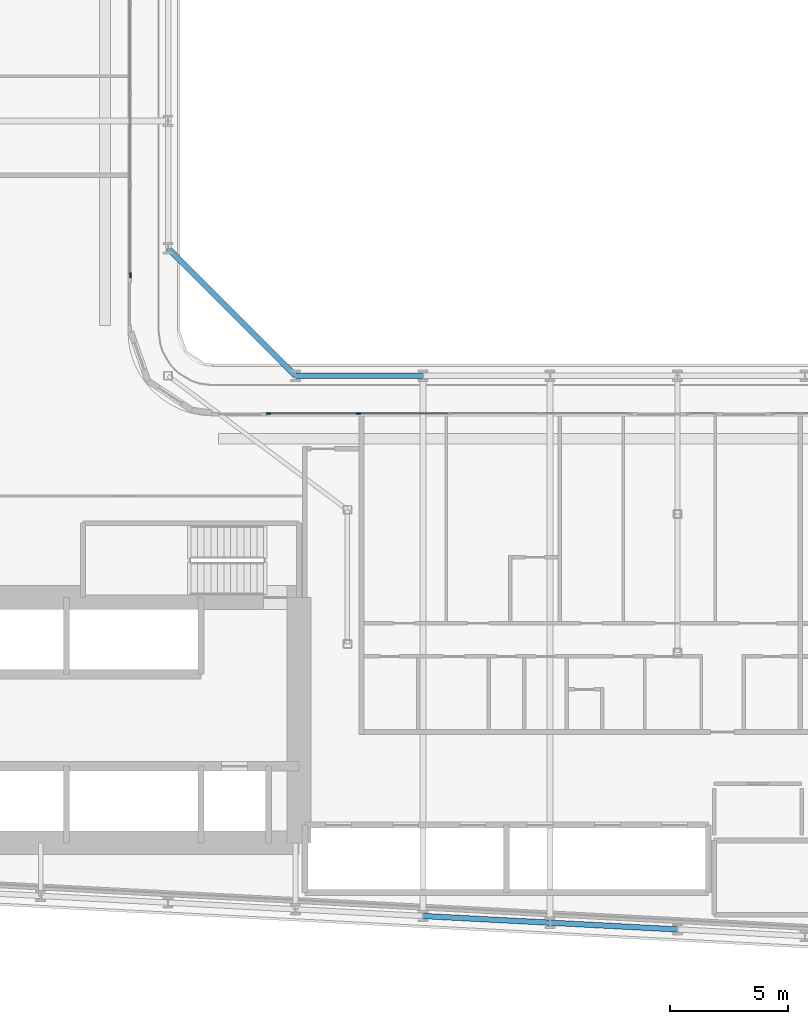
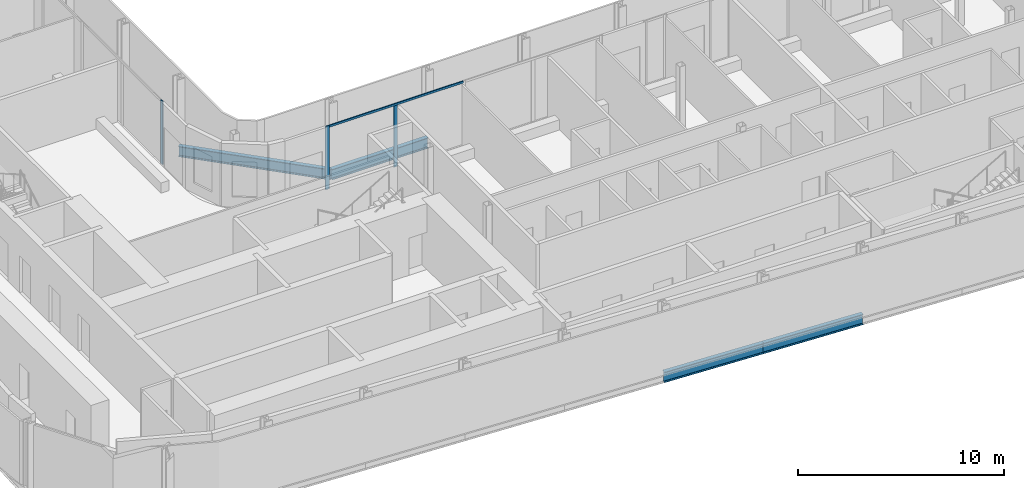
# One storey, part 4 of 29: 4 beams, 4 members, 2 elements without a shape of their own.
"""IFC4 building model written with IfcOpenShell, lengths in metres."""

from ifc_helpers import new_model, si_unit, direction, frame, origin, origin_2d, place, context, subcontext, project, spatial, rectangle, i_section, extrude, material, layer, layer_set, material_profile, profile_set, type_object, element, aggregate, save


model = new_model("IFC4")

# Units and contexts
model_context = context("Model", 3, precision=1e-05, world=origin(), true_north=direction((0.0, 1.0)))
body_context = subcontext(model_context, "Body", "Model", "MODEL_VIEW")
ifc_project = project(units=[si_unit("LENGTHUNIT", "METRE"), si_unit("AREAUNIT", "SQUARE_METRE"), si_unit("VOLUMEUNIT", "CUBIC_METRE"), si_unit("PLANEANGLEUNIT", "RADIAN"), si_unit("MASSUNIT", "GRAM", prefix="KILO")], contexts=[model_context])

# Site, building, storey
site_placement = place(None, origin())
site = spatial("IfcSite", under=ifc_project, at=site_placement, CompositionType="ELEMENT")
building_placement = place(site_placement, origin())
building = spatial("IfcBuilding", under=site, at=building_placement, Name="Kheshtan School and Residences Tower", CompositionType="ELEMENT")
storey_placement = place(building_placement, frame((0.0, 0.0, 61.699951171875)))
storey = spatial("IfcBuildingStorey", under=building, at=storey_placement, Name="L14", CompositionType="ELEMENT", Elevation=61.699951171875)

# Beams
ifc_material_1 = material(Name="Steel ASTM A992 Grade 50", Category="steel")
ifc_material_profile_1 = material_profile(ifc_material_1, i_section(OverallWidth=0.22998046875, OverallDepth=0.616943359375, WebThickness=0.01318359375, FlangeThickness=0.022216796875, FilletRadius=0.0185546875, at=origin_2d()), Name="W610x140")
ifc_profile_set_1 = profile_set([ifc_material_profile_1], Name="Steel ASTM A992 Grade 50")
beam_type = type_object("IfcBeamType", Name="Beam SP1 W610x140 ASTM A992 Grade 50", PredefinedType="BEAM", material=ifc_profile_set_1)
beam_1_placement = place(storey_placement, frame((47.60009765625, 51.0, -0.45849609375), z_axis=(0.707106781187, -0.707106781187, 0.0), x_axis=(0.707106781187, 0.707106781187, 0.0)))
element("IfcBeam", 1, at=beam_1_placement, inside=storey, type_object=beam_type, Name="Spandrel beam C079-C061", PredefinedType="BEAM", context=body_context, shape_type="SweptSolid", body=[
    extrude(i_section(OverallWidth=0.22998046875, OverallDepth=0.616943359375, WebThickness=0.01318359375, FlangeThickness=0.022216796875, FilletRadius=0.0185546875, at=origin_2d()), origin(), (0.0, 0.0, 1.0), 7.63671875),
])
beam_2_placement = place(storey_placement, frame((53.0, 45.60009765625, -0.45849609375), z_axis=(1.0, 0.0, 0.0), x_axis=(0.0, 1.0, 0.0)))
element("IfcBeam", 2, at=beam_2_placement, inside=storey, type_object=beam_type, Name="Spandrel beam C061-C062", PredefinedType="BEAM", context=body_context, shape_type="SweptSolid", body=[
    extrude(i_section(OverallWidth=0.22998046875, OverallDepth=0.616943359375, WebThickness=0.01318359375, FlangeThickness=0.022216796875, FilletRadius=0.0185546875, at=origin_2d()), origin(), (0.0, 0.0, 1.0), 5.39990234375),
])
beam_3_placement = place(storey_placement, frame((69.199951171875, 22.126953125, -0.45849609375), z_axis=(-0.998620447272, 0.05250906864, 0.0), x_axis=(-0.05250906864, -0.998620447272, 0.0)))
element("IfcBeam", 3, at=beam_3_placement, inside=storey, type_object=beam_type, Name="Spandrel beam C014-C016", PredefinedType="BEAM", context=body_context, shape_type="SweptSolid", body=[
    extrude(i_section(OverallWidth=0.22998046875, OverallDepth=0.616943359375, WebThickness=0.01318359375, FlangeThickness=0.022216796875, FilletRadius=0.0185546875, at=origin_2d()), origin(), (0.0, 0.0, 1.0), 5.407470703125),
])
beam_4_placement = place(storey_placement, frame((63.800048828125, 22.410888671875, -0.45849609375), z_axis=(-0.998618203458, 0.052551724256, 0.0), x_axis=(-0.052551724256, -0.998618203458, 0.0)))
element("IfcBeam", 4, at=beam_4_placement, inside=storey, type_object=beam_type, Name="Spandrel beam C016-C018", PredefinedType="BEAM", context=body_context, shape_type="SweptSolid", body=[
    extrude(i_section(OverallWidth=0.22998046875, OverallDepth=0.616943359375, WebThickness=0.01318359375, FlangeThickness=0.022216796875, FilletRadius=0.0185546875, at=origin_2d()), origin(), (0.0, 0.0, 1.0), 5.40771484375),
])

# Curtain wall, member
ifc_material_2 = material(Name="Clear low-e glass in thermally broken aluminium frame", Category="aluminium")
ifc_layer = layer(ifc_material_2, 0.199951171875)
ifc_layer_set = layer_set([ifc_layer], Name="Curtain wall CW-L")
curtain_wall_type = type_object("IfcCurtainWallType", Name="Curtain wall CW-L", PredefinedType="NOTDEFINED", material=ifc_layer_set)
curtain_wall_1_placement = place(storey_placement, origin())
curtain_wall_1 = element("IfcCurtainWall", 5, at=curtain_wall_1_placement, inside=storey, type_object=curtain_wall_type, Name="Curtain wall CWL8", PredefinedType="NOTDEFINED")
ifc_material_3 = material(Name="Thermally broken aluminium, dark bronze anodised", Category="aluminium")
ifc_material_profile_2 = material_profile(ifc_material_3, rectangle(XDim=0.06005859375, YDim=0.199951171875, at=origin_2d()), Name="CW-L mullion 60x200")
ifc_profile_set_2 = profile_set([ifc_material_profile_2], Name="Thermally broken aluminium, dark bronze anodised")
member_type_1 = type_object("IfcMemberType", Name="CW-L mullion 60x200", PredefinedType="MULLION", material=ifc_profile_set_2)
member_1_placement = place(storey_placement, frame((46.0, 49.860107421875, 0.0), z_axis=(0.0, 0.0, 1.0), x_axis=(1.0, 0.0, 0.0)))
member_1 = element("IfcMember", 6, at=member_1_placement, type_object=member_type_1, Name="CWL8 mullion 3", PredefinedType="MULLION", context=body_context, shape_type="SweptSolid", body=[
    extrude(rectangle(XDim=0.06005859375, YDim=0.199951171875, at=origin_2d()), origin(), (0.0, 0.0, 1.0), 3.75),
])
aggregate(curtain_wall_1, [member_1])

# Curtain wall, members
curtain_wall_2_placement = place(storey_placement, origin())
curtain_wall_2 = element("IfcCurtainWall", 7, at=curtain_wall_2_placement, inside=storey, type_object=curtain_wall_type, Name="Curtain wall CWL12j", PredefinedType="NOTDEFINED")
member_2_placement = place(storey_placement, frame((51.860107421875, 44.0, 0.0), z_axis=(0.0, 0.0, 1.0), x_axis=(0.0, 1.0, 0.0)))
member_2 = element("IfcMember", 8, at=member_2_placement, type_object=member_type_1, Name="CWL12j mullion 1", PredefinedType="MULLION", context=body_context, shape_type="SweptSolid", body=[
    extrude(rectangle(XDim=0.06005859375, YDim=0.199951171875, at=origin_2d()), origin(), (0.0, 0.0, 1.0), 3.75),
])
member_3_placement = place(storey_placement, frame((55.677001953125, 44.0, 0.0), z_axis=(0.0, 0.0, 1.0), x_axis=(0.0, 1.0, 0.0)))
member_3 = element("IfcMember", 9, at=member_3_placement, type_object=member_type_1, Name="CWL12j mullion 2", PredefinedType="MULLION", context=body_context, shape_type="SweptSolid", body=[
    extrude(rectangle(XDim=0.06005859375, YDim=0.199951171875, at=origin_2d()), origin(), (0.0, 0.0, 1.0), 3.630126953125),
])
ifc_material_profile_3 = material_profile(ifc_material_3, rectangle(XDim=0.06005859375, YDim=0.1201171875, at=origin_2d()), Name="CW-L transom 60x120")
ifc_profile_set_3 = profile_set([ifc_material_profile_3], Name="Thermally broken aluminium, dark bronze anodised")
member_type_2 = type_object("IfcMemberType", Name="CW-L transom 60x120", PredefinedType="USERDEFINED", material=ifc_profile_set_3)
member_4_placement = place(storey_placement, frame((51.889892578125, 44.0, 3.68994140625), z_axis=(1.0, 0.0, 0.0), x_axis=(0.0, 1.0, 0.0)))
member_4 = element("IfcMember", 10, at=member_4_placement, type_object=member_type_2, Name="CWL12j transom 1", ObjectType="TRANSOM", PredefinedType="USERDEFINED", context=body_context, shape_type="SweptSolid", body=[
    extrude(rectangle(XDim=0.06005859375, YDim=0.1201171875, at=origin_2d()), origin(), (0.0, 0.0, 1.0), 7.57421875),
])
aggregate(curtain_wall_2, [member_2, member_3, member_4])

save(model, "model.ifc")
